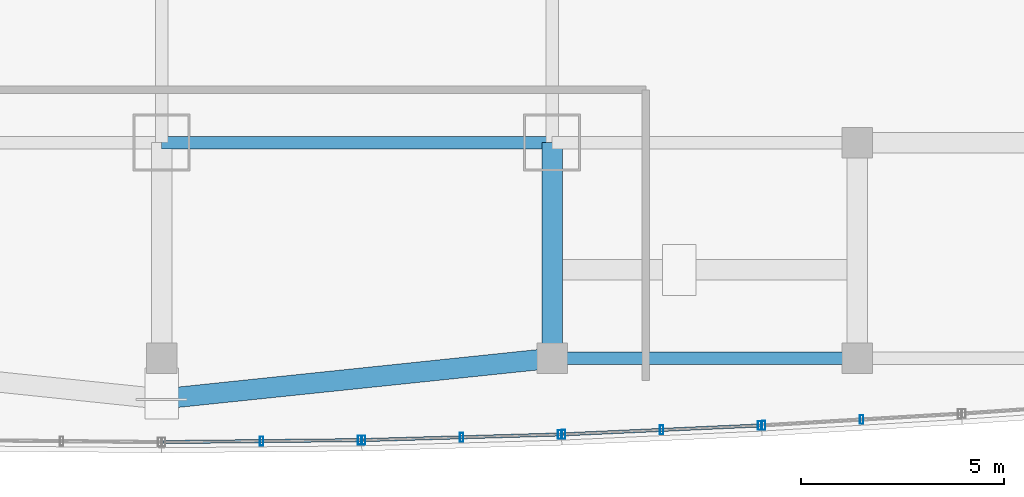
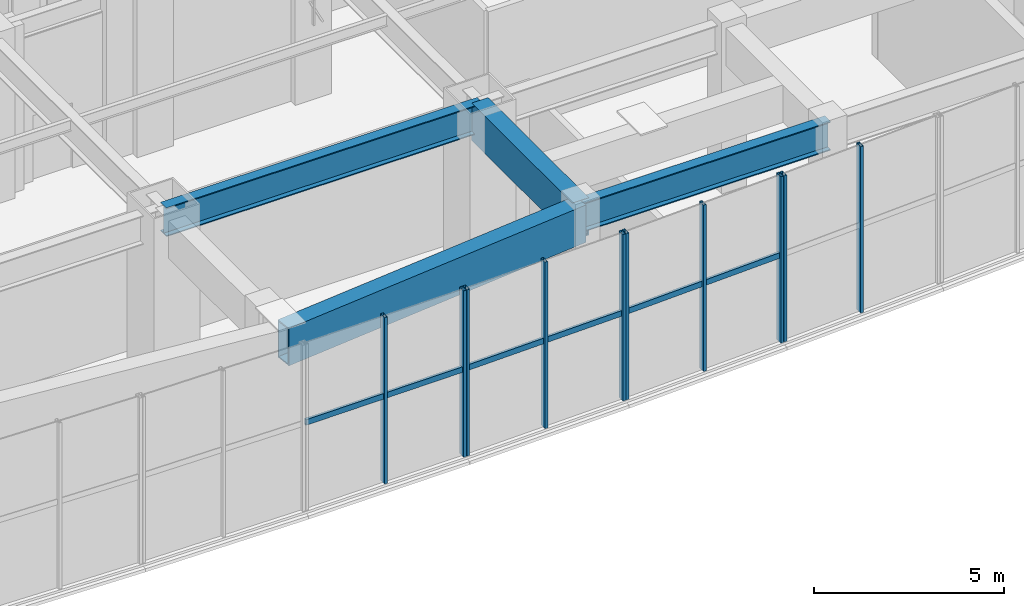
# One storey, part 6 of 19: 13 members, 4 beams, 4 elements without a shape of their own.
"""IFC4 building model written with IfcOpenShell, lengths in metres."""

import ifcopenshell
import ifcopenshell.guid

model = None  # the IFC model being written
_history = None  # IfcOwnerHistory: only IFC2X3 demands one
_inside = {}  # id of a spatial element -> (the spatial element, [elements in it])
_under = {}  # id of a project, library or spatial element -> (it, [spatial elements below it])
_declared = {}  # id of a project -> (the project, [libraries it declares])
_typed = {}  # id of a type object -> (the type object, [elements of that type])
_made_of = {}  # id of a material, layer set ... -> (it, [elements and type objects made of it])


def new_model(schema):
    """Start an empty IFC model of exactly this schema.

    Asked for "IFC4X3", IfcOpenShell would pick the latest addendum, in which some entities
    have other attributes; the version numbers below select the first issue.
    IFC2X3 requires an IfcOwnerHistory on every rooted entity: one is made here for all.
    """
    global model, _history
    if schema == "IFC4X3":
        model = ifcopenshell.file(schema_version=(4, 3, 0, 0))
    else:
        model = ifcopenshell.file(schema=schema)
    _inside.clear()
    _under.clear()
    _declared.clear()
    _typed.clear()
    _made_of.clear()
    _history = None
    if model.schema == "IFC2X3":
        org = make("IfcOrganization", Name="unknown")
        user = make(
            "IfcPersonAndOrganization",
            ThePerson=make("IfcPerson", FamilyName="unknown"),
            TheOrganization=org,
        )
        app = make(
            "IfcApplication",
            ApplicationDeveloper=org,
            Version="unknown",
            ApplicationFullName="unknown",
            ApplicationIdentifier="unknown",
        )
        _history = make(
            "IfcOwnerHistory",
            OwningUser=user,
            OwningApplication=app,
            ChangeAction="ADDED",
            CreationDate=0,
        )
    return model


def make(cls, **values):
    """One entity of the class cls with the attributes given. An attribute that is None is left unset."""
    return model.create_entity(
        cls, **{name: value for name, value in values.items() if value is not None}
    )


def rooted(cls, **values):
    """An entity with a GlobalId (a new one), such as an element, a storey or a relation."""
    return make(cls, GlobalId=ifcopenshell.guid.new(), OwnerHistory=_history, **values)


def si_unit(unit_type, name, prefix=None):
    """IfcSIUnit, for example si_unit("LENGTHUNIT", "METRE", prefix="MILLI")."""
    return make("IfcSIUnit", UnitType=unit_type, Prefix=prefix, Name=name)


def assignment(units):
    """IfcUnitAssignment: the units of a project."""
    return None if units is None else make("IfcUnitAssignment", Units=units)


def point(xyz):
    """IfcCartesianPoint."""
    return None if xyz is None else make("IfcCartesianPoint", Coordinates=xyz)


def direction(xyz):
    """IfcDirection."""
    return None if xyz is None else make("IfcDirection", DirectionRatios=xyz)


def frame(location, z_axis=None, x_axis=None):
    """IfcAxis2Placement3D, a coordinate frame: its origin and axes. An axis left out is left unset."""
    return make(
        "IfcAxis2Placement3D",
        Location=point(location),
        Axis=direction(z_axis),
        RefDirection=direction(x_axis),
    )


def frame_2d(location, x_axis=None):
    """IfcAxis2Placement2D, a coordinate frame in the plane: its origin and x axis."""
    return make(
        "IfcAxis2Placement2D", Location=point(location), RefDirection=direction(x_axis)
    )


def origin():
    """The frame at (0, 0, 0) with its axes left unset."""
    return frame((0.0, 0.0, 0.0))


def origin_2d():
    """The frame at (0, 0) in the plane with its x axis left unset."""
    return frame_2d((0.0, 0.0))


def place(relative_to, where):
    """IfcLocalPlacement: puts the frame where relative to a parent placement (None: the world)."""
    return make(
        "IfcLocalPlacement", PlacementRelTo=relative_to, RelativePlacement=where
    )


def context(
    kind, dimensions, precision=None, world=None, true_north=None, identifier=None
):
    """IfcGeometricRepresentationContext, for example the 3D "Model" context."""
    return make(
        "IfcGeometricRepresentationContext",
        ContextIdentifier=identifier,
        ContextType=kind,
        CoordinateSpaceDimension=dimensions,
        Precision=precision,
        WorldCoordinateSystem=world,
        TrueNorth=true_north,
    )


def subcontext(parent, identifier, kind, view, scale=None):
    """IfcGeometricRepresentationSubContext, for example "Body" below "Model"."""
    return make(
        "IfcGeometricRepresentationSubContext",
        ContextIdentifier=identifier,
        ContextType=kind,
        ParentContext=parent,
        TargetScale=scale,
        TargetView=view,
    )


def project(units=None, contexts=None):
    """IfcProject with its units and contexts."""
    return rooted(
        "IfcProject",
        Name="project",
        RepresentationContexts=contexts,
        UnitsInContext=assignment(units),
    )


def spatial(cls, under=None, at=None, **own):
    """A site, building, storey or space (cls), placed at a placement, below another one or the project."""
    s = rooted(cls, ObjectPlacement=at, **own)
    if under is not None:
        _under.setdefault(under.id(), (under, []))[1].append(s)
    return s


def profile(cls, at=None, kind="AREA", **sizes):
    """A parametric profile (cls). Its sizes go by their IFC names, for example OverallWidth=200.0."""
    return make(cls, ProfileType=kind, Position=at, **sizes)


def hollow_rectangle(**sizes):
    """IfcRectangleHollowProfileDef."""
    return profile("IfcRectangleHollowProfileDef", **sizes)


def i_section(**sizes):
    """IfcIShapeProfileDef."""
    return profile("IfcIShapeProfileDef", **sizes)


def extrude(swept, where, along, depth):
    """IfcExtrudedAreaSolid: the profile swept, set in the frame where, extruded along a direction by depth."""
    return make(
        "IfcExtrudedAreaSolid",
        SweptArea=swept,
        Position=where,
        ExtrudedDirection=direction(along),
        Depth=depth,
    )


def shape(context_of_items, identifier, shape_type, items):
    """IfcShapeRepresentation: the items that make up one representation, for example the "Body"."""
    return make(
        "IfcShapeRepresentation",
        ContextOfItems=context_of_items,
        RepresentationIdentifier=identifier,
        RepresentationType=shape_type,
        Items=items,
    )


def material(Name=None, Category=None):
    """IfcMaterial."""
    return make("IfcMaterial", Name=Name, Category=Category)


def layer(
    of_material, thickness, ventilated=None, Name=None, Category=None, Priority=None
):
    """IfcMaterialLayer: one layer of a wall or slab, of a material (None: an air gap)."""
    return make(
        "IfcMaterialLayer",
        Material=of_material,
        LayerThickness=thickness,
        IsVentilated=ventilated,
        Name=Name,
        Category=Category,
        Priority=Priority,
    )


def layer_set(layers, Name=None):
    """IfcMaterialLayerSet."""
    return make("IfcMaterialLayerSet", MaterialLayers=layers, LayerSetName=Name)


def material_profile(
    of_material, cross_section, Name=None, Category=None, Priority=None
):
    """IfcMaterialProfile: a cross section and its material."""
    return make(
        "IfcMaterialProfile",
        Name=Name,
        Material=of_material,
        Profile=cross_section,
        Priority=Priority,
        Category=Category,
    )


def profile_set(profiles, Name=None, composite=None):
    """IfcMaterialProfileSet."""
    return make(
        "IfcMaterialProfileSet",
        Name=Name,
        MaterialProfiles=profiles,
        CompositeProfile=composite,
    )


def made_of(thing, what):
    """Note that an element or type object is made of a material, layer set ...; save() writes the relation."""
    if what is not None:
        _made_of.setdefault(what.id(), (what, []))[1].append(thing)
    return thing


def type_object(cls, material=None, **own):
    """A type object (cls), such as IfcWallType, which elements share."""
    return made_of(rooted(cls, **own), material)


def element(
    cls,
    number,
    at=None,
    inside=None,
    cuts=None,
    type_object=None,
    material=None,
    context=None,
    identifier="Body",
    shape_type=None,
    held_by="IfcProductDefinitionShape",
    body=None,
    shapes=None,
    **own,
):
    """One element of the class cls, such as IfcWall. Its Tag is "e" and its number.

    at: its placement. inside: the storey or other place that contains it. cuts: it is an
    opening in that element (IfcRelVoidsElement). A single representation is given by context,
    identifier, shape_type and body (its items); several are given by shapes. held_by: the class
    of the entity that holds the representations. save() writes the other relations.
    """
    e = rooted(cls, Tag="e%d" % number, ObjectPlacement=at, **own)
    if body is not None:
        shapes = [shape(context, identifier, shape_type, body)]
    if shapes is not None:
        e.Representation = make(held_by, Representations=shapes)
    if inside is not None:
        _inside.setdefault(inside.id(), (inside, []))[1].append(e)
    if cuts is not None:
        rooted(
            "IfcRelVoidsElement", RelatingBuildingElement=cuts, RelatedOpeningElement=e
        )
    if type_object is not None:
        _typed.setdefault(type_object.id(), (type_object, []))[1].append(e)
    return made_of(e, material)


def aggregate(whole, parts):
    """IfcRelAggregates: a whole, such as a stair, and the parts it consists of."""
    return rooted("IfcRelAggregates", RelatingObject=whole, RelatedObjects=parts)


def save(model, path):
    """Write the relations noted so far, then the file.

    IfcRelAggregates (storeys below a building ...), IfcRelContainedInSpatialStructure (elements
    in a storey), IfcRelDefinesByType, IfcRelAssociatesMaterial and IfcRelDeclares: one each for
    every whole, place, type object, material and project.
    """
    for whole, parts in _under.values():
        aggregate(whole, parts)
    for where, things in _inside.values():
        rooted(
            "IfcRelContainedInSpatialStructure",
            RelatedElements=things,
            RelatingStructure=where,
        )
    for kind, things in _typed.values():
        rooted("IfcRelDefinesByType", RelatedObjects=things, RelatingType=kind)
    for what, things in _made_of.values():
        rooted("IfcRelAssociatesMaterial", RelatedObjects=things, RelatingMaterial=what)
    for by, libraries in _declared.values():
        rooted("IfcRelDeclares", RelatingContext=by, RelatedDefinitions=libraries)
    model.write(path)


model = new_model("IFC4")

# Units and contexts
model_context = context("Model", 3, precision=1e-05, world=origin(), true_north=direction((0.0, 1.0)))
body_context = subcontext(model_context, "Body", "Model", "MODEL_VIEW")
ifc_project = project(units=[si_unit("LENGTHUNIT", "METRE"), si_unit("AREAUNIT", "SQUARE_METRE"), si_unit("VOLUMEUNIT", "CUBIC_METRE"), si_unit("PLANEANGLEUNIT", "RADIAN"), si_unit("MASSUNIT", "GRAM", prefix="KILO")], contexts=[model_context])

# Site, building, storey
site_placement = place(None, origin())
site = spatial("IfcSite", under=ifc_project, at=site_placement, CompositionType="ELEMENT")
building_placement = place(site_placement, origin())
building = spatial("IfcBuilding", under=site, at=building_placement, Name="Vantalir Tower", CompositionType="ELEMENT")
storey_placement = place(building_placement, frame((0.0, 0.0, 21.5)))
storey = spatial("IfcBuildingStorey", under=building, at=storey_placement, Name="L04", CompositionType="ELEMENT", Elevation=21.5)

# Beams
ifc_material_1 = material(Name="Steel S355", Category="steel")
ifc_material_profile_1 = material_profile(ifc_material_1, i_section(OverallWidth=0.30810546875, OverallDepth=0.927001953125, WebThickness=0.01953125, FlangeThickness=0.031982421875, at=origin_2d()), Name="Steel S355")
ifc_profile_set_1 = profile_set([ifc_material_profile_1], Name="Steel S355")
beam_type_1 = type_object("IfcBeamType", Name="BM-PG-914x305", PredefinedType="USERDEFINED", material=ifc_profile_set_1)
beam_1_placement = place(storey_placement, frame((41.10009765625, 3.199951171875, 4.81591796875), z_axis=(1.0, 0.0, 0.0), x_axis=(0.0, 1.0, 0.0)))
element("IfcBeam", 1, at=beam_1_placement, inside=storey, type_object=beam_type_1, Name="L04 Podium E-W Girder 05", ObjectType="GIRDER", PredefinedType="USERDEFINED", context=body_context, shape_type="SweptSolid", body=[
    extrude(i_section(OverallWidth=0.30810546875, OverallDepth=0.927001953125, WebThickness=0.01953125, FlangeThickness=0.031982421875, at=origin_2d()), origin(), (0.0, 0.0, 1.0), 7.5),
])
beam_2_placement = place(storey_placement, frame((31.5, 8.5, 4.81591796875), z_axis=(1.0, 0.0, 0.0), x_axis=(0.0, 1.0, 0.0)))
element("IfcBeam", 2, at=beam_2_placement, inside=storey, type_object=beam_type_1, Name="L04 Podium E-W Girder 11", ObjectType="GIRDER", PredefinedType="USERDEFINED", context=body_context, shape_type="SweptSolid", body=[
    extrude(i_section(OverallWidth=0.30810546875, OverallDepth=0.927001953125, WebThickness=0.01953125, FlangeThickness=0.031982421875, at=origin_2d()), origin(), (0.0, 0.0, 1.0), 9.60009765625),
])
ifc_material_2 = material(Name="Steel S460", Category="steel")
ifc_material_profile_2 = material_profile(ifc_material_2, hollow_rectangle(XDim=0.5, YDim=1.199951171875, WallThickness=0.0400390625, at=origin_2d()), Name="Steel S460")
ifc_profile_set_2 = profile_set([ifc_material_profile_2], Name="Steel S460")
beam_type_2 = type_object("IfcBeamType", Name="BM-XG-1200x500", PredefinedType="USERDEFINED", material=ifc_profile_set_2)
beam_3_placement = place(storey_placement, frame((41.10009765625, 3.199951171875, 4.679931640625), z_axis=(0.0, 1.0, 0.0), x_axis=(-1.0, 0.0, 0.0)))
element("IfcBeam", 3, at=beam_3_placement, inside=storey, type_object=beam_type_2, Name="L04 Ring Transfer Girder PRI-X7S", ObjectType="GIRDER", PredefinedType="USERDEFINED", context=body_context, shape_type="SweptSolid", body=[
    extrude(hollow_rectangle(XDim=0.5, YDim=1.199951171875, WallThickness=0.0400390625, at=origin_2d()), origin(), (0.0, 0.0, 1.0), 5.300048828125),
])
beam_4_placement = place(storey_placement, frame((31.5, 2.199951171875, 4.679931640625), z_axis=(0.994618517496, 0.103605041647, 0.0), x_axis=(-0.103605041647, 0.994618517496, 0.0)))
element("IfcBeam", 4, at=beam_4_placement, inside=storey, type_object=beam_type_2, Name="L04 Ring Transfer Girder SEC-RC10E", ObjectType="GIRDER", PredefinedType="USERDEFINED", context=body_context, shape_type="SweptSolid", body=[
    extrude(hollow_rectangle(XDim=0.5, YDim=1.199951171875, WallThickness=0.0400390625, at=origin_2d()), origin(), (0.0, 0.0, 1.0), 9.652099609375),
])

# Curtain wall, members
ifc_material_3 = material(Name="Champagne-silver PVDF aluminium and double-silver Low-E glass", Category="aluminium")
ifc_layer = layer(ifc_material_3, 0.239990234375)
ifc_layer_set = layer_set([ifc_layer], Name="Champagne-silver PVDF aluminium and double-silver Low-E glass")
curtain_wall_type = type_object("IfcCurtainWallType", Name="CW-PODIUM-WF", PredefinedType="USERDEFINED", material=ifc_layer_set)
curtain_wall_1_placement = place(storey_placement, origin())
curtain_wall_1 = element("IfcCurtainWall", 5, at=curtain_wall_1_placement, inside=storey, type_object=curtain_wall_type, Name="L04 Waterfront Stick Curtain Wall 07", ObjectType="STICK CURTAIN WALL", PredefinedType="USERDEFINED")
ifc_material_4 = material(Name="Champagne-silver PVDF aluminium 6063-T6", Category="aluminium")
ifc_material_profile_3 = material_profile(ifc_material_4, hollow_rectangle(XDim=0.0849609375, YDim=0.219970703125, WallThickness=0.0048828125, at=origin_2d()), Name="Champagne-silver PVDF aluminium 6063-T6")
ifc_profile_set_3 = profile_set([ifc_material_profile_3], Name="Champagne-silver PVDF aluminium 6063-T6")
member_type_1 = type_object("IfcMemberType", Name="CWM-220x85", PredefinedType="MULLION", material=ifc_profile_set_3)
member_1_placement = place(storey_placement, frame((33.9580078125, 1.1640625, -0.011962890625), z_axis=(0.0, 0.0, 1.0), x_axis=(1.0, 0.0, 0.0)))
member_1 = element("IfcMember", 6, at=member_1_placement, type_object=member_type_1, Name="CW-L04-WF-07 Mullion 2", PredefinedType="MULLION", context=body_context, shape_type="SweptSolid", body=[
    extrude(hollow_rectangle(XDim=0.0849609375, YDim=0.219970703125, WallThickness=0.0048828125, at=origin_2d()), origin(), (0.0, 0.0, 1.0), 5.343994140625),
])
member_2_placement = place(storey_placement, frame((36.366943359375, 1.18798828125, -0.011962890625), z_axis=(0.0, 0.0, 1.0), x_axis=(1.0, 0.0, 0.0)))
member_2 = element("IfcMember", 7, at=member_2_placement, type_object=member_type_1, Name="CW-L04-WF-07 Mullion 3", PredefinedType="MULLION", context=body_context, shape_type="SweptSolid", body=[
    extrude(hollow_rectangle(XDim=0.0849609375, YDim=0.219970703125, WallThickness=0.0048828125, at=origin_2d()), origin(), (0.0, 0.0, 1.0), 5.343994140625),
])

curtain_wall_2_placement = place(storey_placement, origin())
curtain_wall_2 = element("IfcCurtainWall", 8, at=curtain_wall_2_placement, inside=storey, type_object=curtain_wall_type, Name="L04 Waterfront Stick Curtain Wall 08", ObjectType="STICK CURTAIN WALL", PredefinedType="USERDEFINED")
member_3_placement = place(storey_placement, frame((36.467041015625, 1.18896484375, -0.011962890625), z_axis=(0.0, 0.0, 1.0), x_axis=(1.0, 0.0, 0.0)))
member_3 = element("IfcMember", 9, at=member_3_placement, type_object=member_type_1, Name="CW-L04-WF-08 Mullion 1", PredefinedType="MULLION", context=body_context, shape_type="SweptSolid", body=[
    extrude(hollow_rectangle(XDim=0.0849609375, YDim=0.219970703125, WallThickness=0.0048828125, at=origin_2d()), origin(), (0.0, 0.0, 1.0), 5.343994140625),
])
member_4_placement = place(storey_placement, frame((38.875, 1.258056640625, -0.011962890625), z_axis=(0.0, 0.0, 1.0), x_axis=(1.0, 0.0, 0.0)))
member_4 = element("IfcMember", 10, at=member_4_placement, type_object=member_type_1, Name="CW-L04-WF-08 Mullion 2", PredefinedType="MULLION", context=body_context, shape_type="SweptSolid", body=[
    extrude(hollow_rectangle(XDim=0.0849609375, YDim=0.219970703125, WallThickness=0.0048828125, at=origin_2d()), origin(), (0.0, 0.0, 1.0), 5.343994140625),
])
member_5_placement = place(storey_placement, frame((41.282958984375, 1.326904296875, -0.011962890625), z_axis=(0.0, 0.0, 1.0), x_axis=(1.0, 0.0, 0.0)))
member_5 = element("IfcMember", 11, at=member_5_placement, type_object=member_type_1, Name="CW-L04-WF-08 Mullion 3", PredefinedType="MULLION", context=body_context, shape_type="SweptSolid", body=[
    extrude(hollow_rectangle(XDim=0.0849609375, YDim=0.219970703125, WallThickness=0.0048828125, at=origin_2d()), origin(), (0.0, 0.0, 1.0), 5.343994140625),
])

curtain_wall_3_placement = place(storey_placement, origin())
curtain_wall_3 = element("IfcCurtainWall", 12, at=curtain_wall_3_placement, inside=storey, type_object=curtain_wall_type, Name="L04 Waterfront Stick Curtain Wall 09", ObjectType="STICK CURTAIN WALL", PredefinedType="USERDEFINED")
member_6_placement = place(storey_placement, frame((41.383056640625, 1.330078125, -0.011962890625), z_axis=(0.0, 0.0, 1.0), x_axis=(1.0, 0.0, 0.0)))
member_6 = element("IfcMember", 13, at=member_6_placement, type_object=member_type_1, Name="CW-L04-WF-09 Mullion 1", PredefinedType="MULLION", context=body_context, shape_type="SweptSolid", body=[
    extrude(hollow_rectangle(XDim=0.0849609375, YDim=0.219970703125, WallThickness=0.0048828125, at=origin_2d()), origin(), (0.0, 0.0, 1.0), 5.343994140625),
])
member_7_placement = place(storey_placement, frame((43.7919921875, 1.43896484375, -0.011962890625), z_axis=(0.0, 0.0, 1.0), x_axis=(1.0, 0.0, 0.0)))
member_7 = element("IfcMember", 14, at=member_7_placement, type_object=member_type_1, Name="CW-L04-WF-09 Mullion 2", PredefinedType="MULLION", context=body_context, shape_type="SweptSolid", body=[
    extrude(hollow_rectangle(XDim=0.0849609375, YDim=0.219970703125, WallThickness=0.0048828125, at=origin_2d()), origin(), (0.0, 0.0, 1.0), 5.343994140625),
])
member_8_placement = place(storey_placement, frame((46.199951171875, 1.548095703125, -0.011962890625), z_axis=(0.0, 0.0, 1.0), x_axis=(1.0, 0.0, 0.0)))
member_8 = element("IfcMember", 15, at=member_8_placement, type_object=member_type_1, Name="CW-L04-WF-09 Mullion 3", PredefinedType="MULLION", context=body_context, shape_type="SweptSolid", body=[
    extrude(hollow_rectangle(XDim=0.0849609375, YDim=0.219970703125, WallThickness=0.0048828125, at=origin_2d()), origin(), (0.0, 0.0, 1.0), 5.343994140625),
])

curtain_wall_4_placement = place(storey_placement, origin())
curtain_wall_4 = element("IfcCurtainWall", 16, at=curtain_wall_4_placement, inside=storey, type_object=curtain_wall_type, Name="L04 Waterfront Stick Curtain Wall 10", ObjectType="STICK CURTAIN WALL", PredefinedType="USERDEFINED")
member_9_placement = place(storey_placement, frame((46.300048828125, 1.552978515625, -0.011962890625), z_axis=(0.0, 0.0, 1.0), x_axis=(1.0, 0.0, 0.0)))
member_9 = element("IfcMember", 17, at=member_9_placement, type_object=member_type_1, Name="CW-L04-WF-10 Mullion 1", PredefinedType="MULLION", context=body_context, shape_type="SweptSolid", body=[
    extrude(hollow_rectangle(XDim=0.0849609375, YDim=0.219970703125, WallThickness=0.0048828125, at=origin_2d()), origin(), (0.0, 0.0, 1.0), 5.343994140625),
])
member_10_placement = place(storey_placement, frame((48.7080078125, 1.695068359375, -0.011962890625), z_axis=(0.0, 0.0, 1.0), x_axis=(1.0, 0.0, 0.0)))
member_10 = element("IfcMember", 18, at=member_10_placement, type_object=member_type_1, Name="CW-L04-WF-10 Mullion 2", PredefinedType="MULLION", context=body_context, shape_type="SweptSolid", body=[
    extrude(hollow_rectangle(XDim=0.0849609375, YDim=0.219970703125, WallThickness=0.0048828125, at=origin_2d()), origin(), (0.0, 0.0, 1.0), 5.343994140625),
])
aggregate(curtain_wall_4, [member_9, member_10])

# Member
ifc_material_profile_4 = material_profile(ifc_material_4, hollow_rectangle(XDim=0.080078125, YDim=0.179931640625, WallThickness=0.0048828125, at=origin_2d()), Name="Champagne-silver PVDF aluminium 6063-T6")
ifc_profile_set_4 = profile_set([ifc_material_profile_4], Name="Champagne-silver PVDF aluminium 6063-T6")
member_type_2 = type_object("IfcMemberType", Name="CWT-180x80", PredefinedType="USERDEFINED", material=ifc_profile_set_4)
member_11_placement = place(storey_placement, frame((31.550048828125, 1.139892578125, 2.76611328125), z_axis=(0.999950155664, 0.009984297043, 0.0), x_axis=(-0.009984297043, 0.999950155664, 0.0)))
member_11 = element("IfcMember", 19, at=member_11_placement, type_object=member_type_2, Name="CW-L04-WF-07 Transom 1", ObjectType="TRANSOM", PredefinedType="USERDEFINED", context=body_context, shape_type="SweptSolid", body=[
    extrude(hollow_rectangle(XDim=0.080078125, YDim=0.179931640625, WallThickness=0.0048828125, at=origin_2d()), origin(), (0.0, 0.0, 1.0), 4.817138671875),
])

aggregate(curtain_wall_1, [member_1, member_2, member_11])

member_12_placement = place(storey_placement, frame((36.467041015625, 1.18896484375, 2.76611328125), z_axis=(0.999590058651, 0.028630659188, 0.0), x_axis=(-0.028630659188, 0.999590058651, 0.0)))
member_12 = element("IfcMember", 20, at=member_12_placement, type_object=member_type_2, Name="CW-L04-WF-08 Transom 1", ObjectType="TRANSOM", PredefinedType="USERDEFINED", context=body_context, shape_type="SweptSolid", body=[
    extrude(hollow_rectangle(XDim=0.080078125, YDim=0.179931640625, WallThickness=0.0048828125, at=origin_2d()), origin(), (0.0, 0.0, 1.0), 4.81787109375),
])

aggregate(curtain_wall_2, [member_3, member_4, member_5, member_12])

member_13_placement = place(storey_placement, frame((41.383056640625, 1.330078125, 2.76611328125), z_axis=(0.998977290904, 0.045214734961, 0.0), x_axis=(-0.045214734961, 0.998977290904, 0.0)))
member_13 = element("IfcMember", 21, at=member_13_placement, type_object=member_type_2, Name="CW-L04-WF-09 Transom 1", ObjectType="TRANSOM", PredefinedType="USERDEFINED", context=body_context, shape_type="SweptSolid", body=[
    extrude(hollow_rectangle(XDim=0.080078125, YDim=0.179931640625, WallThickness=0.0048828125, at=origin_2d()), origin(), (0.0, 0.0, 1.0), 4.82177734375),
])

aggregate(curtain_wall_3, [member_6, member_7, member_8, member_13])

save(model, "model.ifc")
